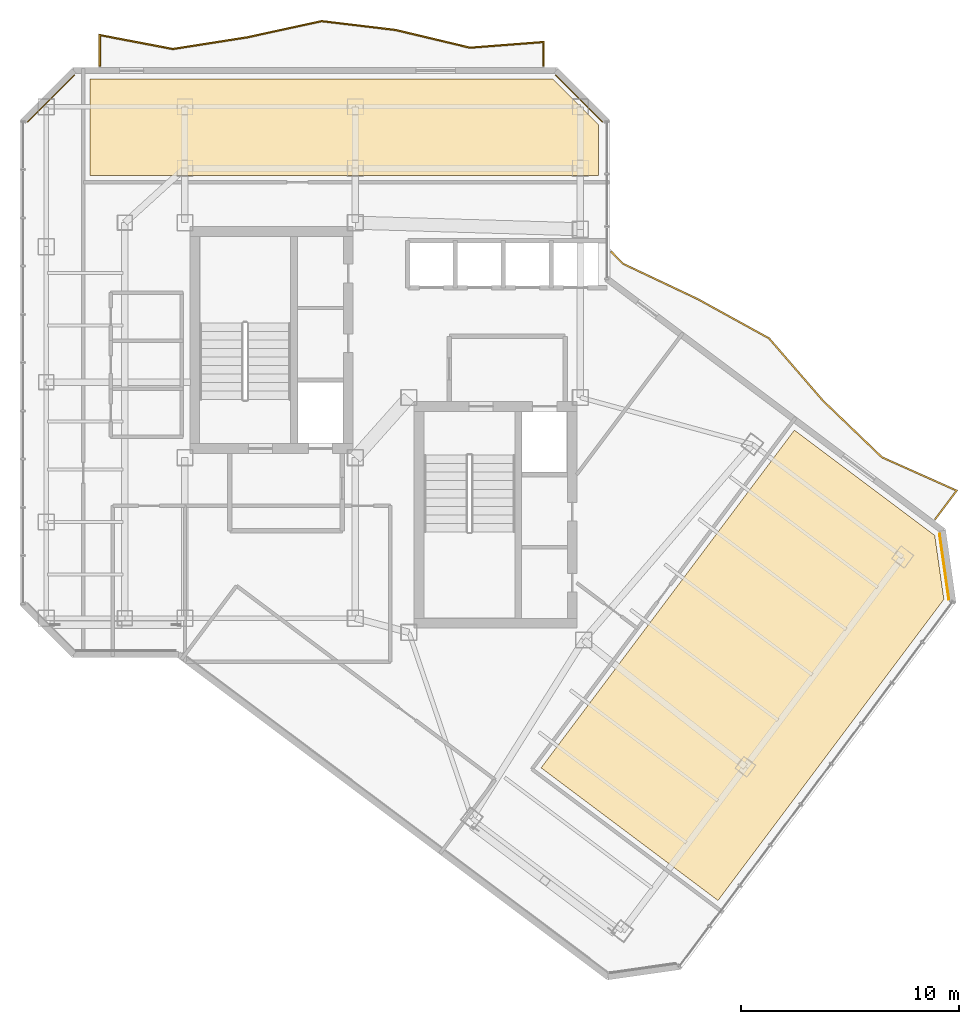
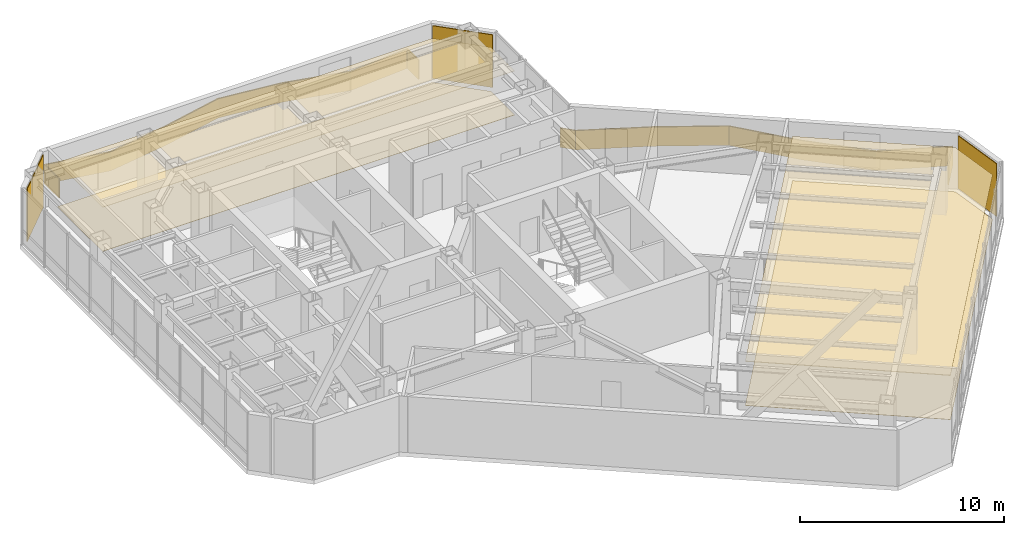
# One storey, part 24 of 24: 7 coverings, 2 railings.
"""IFC4 building model written with IfcOpenShell, lengths in metres."""

from ifc_helpers import new_model, si_unit, direction, frame, origin, origin_2d, place, context, subcontext, project, spatial, polyline, rectangle, outline, extrude, material, layer, layer_set, type_object, element, save


model = new_model("IFC4")

# Units and contexts
model_context = context("Model", 3, precision=1e-05, world=origin(), true_north=direction((0.0, 1.0)))
body_context = subcontext(model_context, "Body", "Model", "MODEL_VIEW")
ifc_project = project(units=[si_unit("LENGTHUNIT", "METRE"), si_unit("AREAUNIT", "SQUARE_METRE"), si_unit("VOLUMEUNIT", "CUBIC_METRE"), si_unit("PLANEANGLEUNIT", "RADIAN"), si_unit("MASSUNIT", "GRAM", prefix="KILO")], contexts=[model_context])

# Site, building, storey
site_placement = place(None, origin())
site = spatial("IfcSite", under=ifc_project, at=site_placement, CompositionType="ELEMENT")
building_placement = place(site_placement, origin())
building = spatial("IfcBuilding", under=site, at=building_placement, Name="Hatsunagi Terrace Concourse", CompositionType="ELEMENT")
storey_placement = place(building_placement, frame((0.0, 0.0, 191.550048828125)))
storey = spatial("IfcBuildingStorey", under=building, at=storey_placement, Name="L50", CompositionType="ELEMENT", Elevation=191.550048828125)

# Covering
ifc_material_1 = material(Name="Acoustic mineral board", Category="gypsum")
ifc_layer_1 = layer(ifc_material_1, 0.02001953125)
ifc_layer_set_1 = layer_set([ifc_layer_1], Name="AcousticMineralCeiling_20")
covering_type_1 = type_object("IfcCoveringType", Name="AcousticMineralCeiling_20", PredefinedType="CEILING", material=ifc_layer_set_1)
covering_1_placement = place(storey_placement, frame((0.0, 0.0, 2.6298828125)))
element("IfcCovering", 1, at=covering_1_placement, inside=storey, type_object=covering_type_1, Name="Suspended Ceiling L50-2", PredefinedType="CEILING", context=body_context, shape_type="SweptSolid", body=[
    extrude(outline(polyline([(42.3798828125, 49.8701171875), (21.199951171875, 49.8701171875), (21.199951171875, 45.449951171875), (44.469970703125, 45.449951171875), (44.469970703125, 47.780029296875), (42.3798828125, 49.8701171875)])), origin(), (0.0, 0.0, 1.0), 0.02001953125),
])

# Railings
ifc_material_2 = material(Name="Laminated Glass and Stainless Steel Guard", Category="steel")
ifc_layer_2 = layer(ifc_material_2, 0.070068359375)
ifc_layer_set_2 = layer_set([ifc_layer_2], Name="BalconyGlassGuardRail_1150")
railing_type = type_object("IfcRailingType", Name="BalconyGlassGuardRail_1150", PredefinedType="BALUSTRADE", material=ifc_layer_set_2)
railing_1_placement = place(storey_placement, origin())
element("IfcRailing", 2, at=railing_1_placement, inside=storey, type_object=railing_type, Name="Engawa Balcony Guard GRD-01 L50-BN-1", PredefinedType="BALUSTRADE", context=body_context, shape_type="SweptSolid", body=[
    extrude(outline(polyline([(21.614990234375, 50.449951171875), (21.68505859375, 50.449951171875), (21.68505859375, 51.84765625), (24.998291015625, 51.215576171875), (28.41552734375, 51.753662109375), (31.8037109375, 52.491455078125), (35.184814453125, 52.08837890625), (38.59326171875, 51.275634765625), (41.9150390625, 51.533203125), (41.9150390625, 50.449951171875), (41.985107421875, 50.449951171875), (41.985107421875, 51.60888671875), (38.598876953125, 51.34619140625), (35.197265625, 52.157470703125), (31.80029296875, 52.5625), (28.402587890625, 51.822509765625), (24.99951171875, 51.28662109375), (21.614990234375, 51.932373046875), (21.614990234375, 50.449951171875)])), origin(), (0.0, 0.0, 1.0), 1.14990234375),
])
railing_2_placement = place(storey_placement, origin())
element("IfcRailing", 3, at=railing_2_placement, inside=storey, type_object=railing_type, Name="Engawa Balcony Guard GRD-01 L50-BSE-1", PredefinedType="BALUSTRADE", context=body_context, shape_type="SweptSolid", body=[
    extrude(outline(polyline([(45.071044921875, 42.01220703125), (45.02099609375, 41.963623046875), (45.572265625, 41.39404296875), (48.9990234375, 39.773681640625), (52.256591796875, 37.9814453125), (54.7275390625, 35.126953125), (57.43017578125, 32.532470703125), (60.810791015625, 31.02392578125), (59.842041015625, 29.73095703125), (59.89794921875, 29.68896484375), (60.919189453125, 31.052001953125), (57.4697265625, 32.591552734375), (54.7783203125, 35.175048828125), (52.301513671875, 38.03662109375), (49.031005859375, 39.836181640625), (45.61376953125, 41.451904296875), (45.071044921875, 42.01220703125)])), origin(), (0.0, 0.0, 1.0), 1.14990234375),
])

# Coverings
ifc_material_3 = material(Name="Hardwood timber", Category="wood")
ifc_layer_3 = layer(ifc_material_3, 0.014892578125)
ifc_layer_set_3 = layer_set([ifc_layer_3], Name="HardwoodTimberFlooring_15")
covering_type_2 = type_object("IfcCoveringType", Name="HardwoodTimberFlooring_15", PredefinedType="FLOORING", material=ifc_layer_set_3)
covering_2_placement = place(storey_placement, origin())
element("IfcCovering", 4, at=covering_2_placement, inside=storey, type_object=covering_type_2, Name="Finished Flooring L50-1", PredefinedType="FLOORING", context=body_context, shape_type="SweptSolid", body=[
    extrude(outline(polyline([(59.865966796875, 28.988037109375), (53.44189453125, 33.805908203125), (41.85009765625, 18.35009765625), (49.946044921875, 12.278076171875), (60.283935546875, 26.06201171875), (59.865966796875, 28.988037109375)])), origin(), (0.0, 0.0, 1.0), 0.014892578125),
])
covering_3_placement = place(storey_placement, origin())
element("IfcCovering", 5, at=covering_3_placement, inside=storey, type_object=covering_type_2, Name="Finished Flooring L50-2", PredefinedType="FLOORING", context=body_context, shape_type="SweptSolid", body=[
    extrude(outline(polyline([(42.3798828125, 49.8701171875), (21.199951171875, 49.8701171875), (21.199951171875, 45.449951171875), (44.469970703125, 45.449951171875), (44.469970703125, 47.780029296875), (42.3798828125, 49.8701171875)])), origin(), (0.0, 0.0, 1.0), 0.014892578125),
])
ifc_material_4 = material(Name="Unglazed Warm Terracotta Rainscreen Tile", Category="masonry")
ifc_layer_4 = layer(ifc_material_4, 0.044921875)
ifc_layer_set_4 = layer_set([ifc_layer_4], Name="TerracottaRainscreenCladding_45")
covering_type_3 = type_object("IfcCoveringType", Name="TerracottaRainscreenCladding_45", PredefinedType="CLADDING", material=ifc_layer_set_4)
for number, where, z_axis, x_axis, name in (
    (6, (60.301025390625, 27.55810546875, 0.10009765625), (0.0, 0.0, 1.0), (0.141250262458, -0.989973920543, 0.0), "Terracotta Rainscreen Cladding L50-02"),
    (7, (19.4140625, 48.986083984375, 0.10009765625), (0.0, 0.0, 1.0), (0.707106781187, 0.707106781187, 0.0), "Terracotta Rainscreen Cladding L50-09"),
    (8, (43.5859375, 48.986083984375, 0.10009765625), (0.0, 0.0, 1.0), (0.707106781187, -0.707106781187, 0.0), "Terracotta Rainscreen Cladding L50-11"),
):
    element("IfcCovering", number, at=place(storey_placement, frame(where, z_axis=z_axis, x_axis=x_axis)), inside=storey, type_object=covering_type_3, Name=name, PredefinedType="CLADDING", context=body_context, shape_type="SweptSolid", body=[
        extrude(rectangle(XDim=3.0380859375, YDim=0.044921875, at=origin_2d()), origin(), (0.0, 0.0, 1.0), 3.14990234375),
    ])
ifc_material_5 = material(Name="Hardwood timber", Category="wood")
ifc_layer_5 = layer(ifc_material_5, 0.034912109375)
ifc_layer_set_5 = layer_set([ifc_layer_5], Name="TimberBaffleCeiling_35")
covering_type_4 = type_object("IfcCoveringType", Name="TimberBaffleCeiling_35", PredefinedType="CEILING", material=ifc_layer_set_5)
covering_4_placement = place(storey_placement, frame((0.0, 0.0, 2.6298828125)))
element("IfcCovering", 9, at=covering_4_placement, inside=storey, type_object=covering_type_4, Name="Suspended Ceiling L50-1", PredefinedType="CEILING", context=body_context, shape_type="SweptSolid", body=[
    extrude(outline(polyline([(59.865966796875, 28.988037109375), (53.44189453125, 33.805908203125), (41.85009765625, 18.35009765625), (49.946044921875, 12.278076171875), (60.283935546875, 26.06201171875), (59.865966796875, 28.988037109375)])), origin(), (0.0, 0.0, 1.0), 0.03515625),
])

save(model, "model.ifc")
